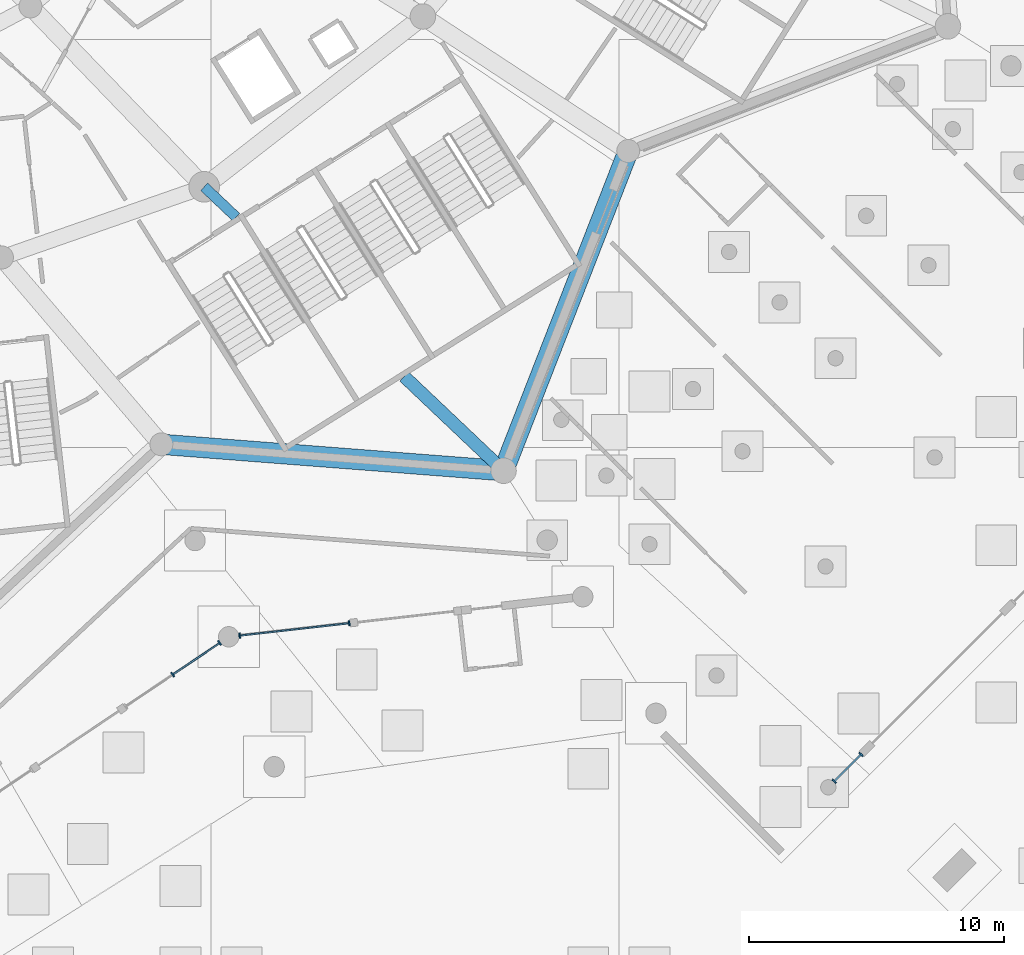
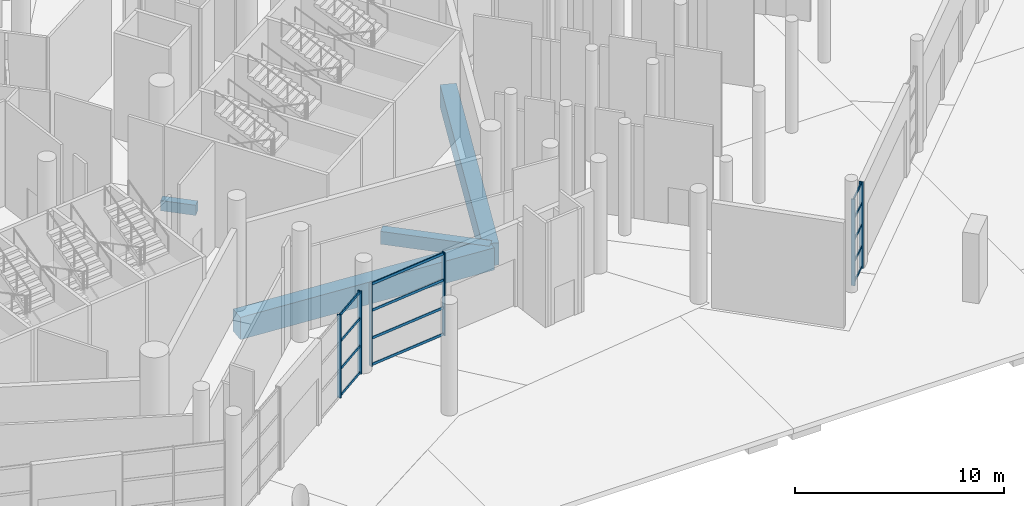
# One storey, part 34 of 255: 19 members, 4 beams, 3 elements without a shape of their own.
"""IFC4 building model written with IfcOpenShell, lengths in metres."""

from ifc_helpers import new_model, si_unit, direction, frame, origin, origin_2d, place, context, subcontext, project, spatial, rectangle, extrude, material, layer, layer_set, material_profile, profile_set, type_object, element, aggregate, save


model = new_model("IFC4")

# Units and contexts
model_context = context("Model", 3, precision=1e-05, world=origin(), true_north=direction((0.0, 1.0)))
body_context = subcontext(model_context, "Body", "Model", "MODEL_VIEW")
ifc_project = project(units=[si_unit("LENGTHUNIT", "METRE"), si_unit("AREAUNIT", "SQUARE_METRE"), si_unit("VOLUMEUNIT", "CUBIC_METRE"), si_unit("PLANEANGLEUNIT", "RADIAN"), si_unit("MASSUNIT", "GRAM", prefix="KILO")], contexts=[model_context])

# Site, building, storey
site_placement = place(None, origin())
site = spatial("IfcSite", under=ifc_project, at=site_placement, CompositionType="ELEMENT")
building_placement = place(site_placement, origin())
building = spatial("IfcBuilding", under=site, at=building_placement, Name="Meseta Stadium", CompositionType="ELEMENT")
storey_placement = place(building_placement, origin())
storey = spatial("IfcBuildingStorey", under=building, at=storey_placement, Name="L00", CompositionType="ELEMENT", Elevation=0.0)

# Beams
ifc_material_1 = material(Name="Concrete C40/50", Category="concrete")
ifc_material_profile_1 = material_profile(ifc_material_1, rectangle(XDim=0.39990234375, YDim=0.60009765625, at=origin_2d()), Name="RC 400x600")
ifc_profile_set_1 = profile_set([ifc_material_profile_1], Name="Concrete C40/50")
beam_type_1 = type_object("IfcBeamType", Name="RC beam 400x600", PredefinedType="BEAM", material=ifc_profile_set_1)
beam_1_placement = place(storey_placement, frame((63.731201171875, -85.77099609375, -0.699951171875), z_axis=(0.725600801439, -0.688115889187, 0.0), x_axis=(0.688115889187, 0.725600801439, 0.0)))
element("IfcBeam", 1, at=beam_1_placement, inside=storey, type_object=beam_type_1, Name="L00 radial beam frame 52 line P to R", PredefinedType="BEAM", context=body_context, shape_type="SweptSolid", body=[
    extrude(rectangle(XDim=0.39990234375, YDim=0.60009765625, at=origin_2d()), origin(), (0.0, 0.0, 1.0), 1.732421875),
])
ifc_material_2 = material(Name="Concrete C40/50", Category="concrete")
ifc_material_profile_2 = material_profile(ifc_material_2, rectangle(XDim=0.5, YDim=0.75, at=origin_2d()), Name="RC 500x750")
ifc_profile_set_2 = profile_set([ifc_material_profile_2], Name="Concrete C40/50")
beam_type_2 = type_object("IfcBeamType", Name="RC beam 500x750", PredefinedType="BEAM", material=ifc_profile_set_2)
beam_2_placement = place(storey_placement, frame((71.57958984375, -93.214599609375, -0.77490234375), z_axis=(0.725596444109, -0.688120483852, 0.0), x_axis=(0.688120483852, 0.725596444109, 0.0)))
element("IfcBeam", 2, at=beam_2_placement, inside=storey, type_object=beam_type_2, Name="L00 radial beam frame 52 line P to R", PredefinedType="BEAM", context=body_context, shape_type="SweptSolid", body=[
    extrude(rectangle(XDim=0.5, YDim=0.75, at=origin_2d()), origin(), (0.0, 0.0, 1.0), 5.367919921875),
])
ifc_material_3 = material(Name="Concrete C40/50", Category="concrete")
ifc_material_profile_3 = material_profile(ifc_material_3, rectangle(XDim=0.800048828125, YDim=1.300048828125, at=origin_2d()), Name="RC 800x1300")
ifc_profile_set_3 = profile_set([ifc_material_profile_3], Name="Concrete C40/50")
beam_type_3 = type_object("IfcBeamType", Name="RC beam 800x1300", PredefinedType="BEAM", material=ifc_profile_set_3)
for number, where, z_axis, x_axis, name in (
    (3, (62.051513671875, -95.872802734375, -1.050048828125), (0.997036858399, -0.076925307894, 0.0), (0.076925307894, 0.997036858399, 0.0), "L00 ring beam frame 51 line R"),
    (4, (75.474609375, -96.908447265625, -1.050048828125), (0.363287980868, 0.93167689837, 0.0), (-0.93167689837, 0.363287980868, 0.0), "L00 ring beam frame 52 line R"),
):
    element("IfcBeam", number, at=place(storey_placement, frame(where, z_axis=z_axis, x_axis=x_axis)), inside=storey, type_object=beam_type_3, Name=name, PredefinedType="BEAM", context=body_context, shape_type="SweptSolid", body=[
        extrude(rectangle(XDim=0.800048828125, YDim=1.300048828125, at=origin_2d()), origin(), (0.0, 0.0, 1.0), 13.462890625),
    ])

# Curtain wall, members
ifc_material_4 = material(Name="Aluminium", Category="aluminium")
ifc_layer_1 = layer(ifc_material_4, 0.199951171875)
ifc_layer_set_1 = layer_set([ifc_layer_1], Name="Ring shopfront curtain wall")
curtain_wall_type_1 = type_object("IfcCurtainWallType", Name="Ring shopfront curtain wall", PredefinedType="NOTDEFINED", material=ifc_layer_set_1)
curtain_wall_1_placement = place(storey_placement, origin())
curtain_wall_1 = element("IfcCurtainWall", 5, at=curtain_wall_1_placement, inside=storey, type_object=curtain_wall_type_1, Name="Shopfront glazing F50b", PredefinedType="NOTDEFINED")
ifc_material_5 = material(Name="Aluminium", Category="aluminium")
ifc_material_profile_4 = material_profile(ifc_material_5, rectangle(XDim=0.199951171875, YDim=0.06005859375, at=origin_2d()), Name="CW 200x60")
ifc_profile_set_4 = profile_set([ifc_material_profile_4], Name="Aluminium")
member_type_1 = type_object("IfcMemberType", Name="Ring CW mullion 60x200", PredefinedType="MULLION", material=ifc_profile_set_4)
member_1_placement = place(storey_placement, frame((62.4951171875, -104.907470703125, 0.0), z_axis=(0.0, 0.0, 1.0), x_axis=(-0.559383641345, 0.828908886305, 0.0)))
member_1 = element("IfcMember", 6, at=member_1_placement, type_object=member_type_1, Name="CWR1 mullion 2", PredefinedType="MULLION", context=body_context, shape_type="SweptSolid", body=[
    extrude(rectangle(XDim=0.199951171875, YDim=0.06005859375, at=origin_2d()), origin(), (0.0, 0.0, 1.0), 4.85009765625),
])
member_2_placement = place(storey_placement, frame((64.33740234375, -103.664306640625, 0.0), z_axis=(0.0, 0.0, 1.0), x_axis=(-0.559383641345, 0.828908886305, 0.0)))
member_2 = element("IfcMember", 7, at=member_2_placement, type_object=member_type_1, Name="CWR1 mullion 3", PredefinedType="MULLION", context=body_context, shape_type="SweptSolid", body=[
    extrude(rectangle(XDim=0.199951171875, YDim=0.06005859375, at=origin_2d()), origin(), (0.0, 0.0, 1.0), 4.85009765625),
])

curtain_wall_2_placement = place(storey_placement, origin())
curtain_wall_2 = element("IfcCurtainWall", 8, at=curtain_wall_2_placement, inside=storey, type_object=curtain_wall_type_1, Name="Shopfront glazing F51a", PredefinedType="NOTDEFINED")
member_3_placement = place(storey_placement, frame((65.12109375, -103.37548828125, 0.0), z_axis=(0.0, 0.0, 1.0), x_axis=(-0.112472456913, 0.993654842707, 0.0)))
member_3 = element("IfcMember", 9, at=member_3_placement, type_object=member_type_1, Name="CWR1 mullion 1", PredefinedType="MULLION", context=body_context, shape_type="SweptSolid", body=[
    extrude(rectangle(XDim=0.199951171875, YDim=0.06005859375, at=origin_2d()), origin(), (0.0, 0.0, 1.0), 4.85009765625),
])
member_4_placement = place(storey_placement, frame((69.42138671875, -102.888671875, 0.0), z_axis=(0.0, 0.0, 1.0), x_axis=(-0.112472456913, 0.993654842707, 0.0)))
member_4 = element("IfcMember", 10, at=member_4_placement, type_object=member_type_1, Name="CWR1 mullion 2", PredefinedType="MULLION", context=body_context, shape_type="SweptSolid", body=[
    extrude(rectangle(XDim=0.199951171875, YDim=0.06005859375, at=origin_2d()), origin(), (0.0, 0.0, 1.0), 4.85009765625),
])

ifc_material_6 = material(Name="Aluminium", Category="aluminium")
ifc_layer_2 = layer(ifc_material_6, 0.199951171875)
ifc_layer_set_2 = layer_set([ifc_layer_2], Name="Gate hall curtain wall")
curtain_wall_type_2 = type_object("IfcCurtainWallType", Name="Gate hall curtain wall", PredefinedType="NOTDEFINED", material=ifc_layer_set_2)
curtain_wall_3_placement = place(storey_placement, origin())
curtain_wall_3 = element("IfcCurtainWall", 11, at=curtain_wall_3_placement, inside=storey, type_object=curtain_wall_type_2, Name="Gate 8 glazing", PredefinedType="NOTDEFINED")
member_5_placement = place(storey_placement, frame((88.447509765625, -109.0927734375, 0.0), z_axis=(0.0, 0.0, 1.0), x_axis=(-0.707106781187, 0.707106781187, 0.0)))
member_5 = element("IfcMember", 12, at=member_5_placement, type_object=member_type_1, Name="CWG1 mullion 1", PredefinedType="MULLION", context=body_context, shape_type="SweptSolid", body=[
    extrude(rectangle(XDim=0.199951171875, YDim=0.06005859375, at=origin_2d()), origin(), (0.0, 0.0, 1.0), 5.050048828125),
])
member_6_placement = place(storey_placement, frame((89.501220703125, -108.039306640625, 0.0), z_axis=(0.0, 0.0, 1.0), x_axis=(-0.707106781187, 0.707106781187, 0.0)))
member_6 = element("IfcMember", 13, at=member_6_placement, type_object=member_type_1, Name="CWG1 mullion 2", PredefinedType="MULLION", context=body_context, shape_type="SweptSolid", body=[
    extrude(rectangle(XDim=0.199951171875, YDim=0.06005859375, at=origin_2d()), origin(), (0.0, 0.0, 1.0), 5.050048828125),
])

# Member
ifc_material_7 = material(Name="Aluminium", Category="aluminium")
ifc_material_profile_5 = material_profile(ifc_material_7, rectangle(XDim=0.06005859375, YDim=0.14990234375, at=origin_2d()), Name="CW 60x150")
ifc_profile_set_5 = profile_set([ifc_material_profile_5], Name="Aluminium")
member_type_2 = type_object("IfcMemberType", Name="Ring CW transom 60x150", PredefinedType="USERDEFINED", material=ifc_profile_set_5)
member_7_placement = place(storey_placement, frame((62.52001953125, -104.890625, 0.074951171875), z_axis=(0.828945520124, 0.559329352587, 0.0), x_axis=(-0.559329352587, 0.828945520124, 0.0)))
member_7 = element("IfcMember", 14, at=member_7_placement, type_object=member_type_2, Name="CWR1 transom 2.1", ObjectType="TRANSOM", PredefinedType="USERDEFINED", context=body_context, shape_type="SweptSolid", body=[
    extrude(rectangle(XDim=0.06005859375, YDim=0.14990234375, at=origin_2d()), origin(), (0.0, 0.0, 1.0), 2.162353515625),
])

member_8_placement = place(storey_placement, frame((62.52001953125, -104.890625, 1.61669921875), z_axis=(0.828945520124, 0.559329352587, 0.0), x_axis=(-0.559329352587, 0.828945520124, 0.0)))
member_8 = element("IfcMember", 15, at=member_8_placement, type_object=member_type_2, Name="CWR1 transom 2.2", ObjectType="TRANSOM", PredefinedType="USERDEFINED", context=body_context, shape_type="SweptSolid", body=[
    extrude(rectangle(XDim=0.06005859375, YDim=0.14990234375, at=origin_2d()), origin(), (0.0, 0.0, 1.0), 2.162353515625),
])

member_9_placement = place(storey_placement, frame((62.52001953125, -104.890625, 3.2333984375), z_axis=(0.828945520124, 0.559329352587, 0.0), x_axis=(-0.559329352587, 0.828945520124, 0.0)))
member_9 = element("IfcMember", 16, at=member_9_placement, type_object=member_type_2, Name="CWR1 transom 2.3", ObjectType="TRANSOM", PredefinedType="USERDEFINED", context=body_context, shape_type="SweptSolid", body=[
    extrude(rectangle(XDim=0.06005859375, YDim=0.14990234375, at=origin_2d()), origin(), (0.0, 0.0, 1.0), 2.162353515625),
])

member_10_placement = place(storey_placement, frame((62.52001953125, -104.890625, 4.77490234375), z_axis=(0.828945520124, 0.559329352587, 0.0), x_axis=(-0.559329352587, 0.828945520124, 0.0)))
member_10 = element("IfcMember", 17, at=member_10_placement, type_object=member_type_2, Name="CWR1 transom 2.4", ObjectType="TRANSOM", PredefinedType="USERDEFINED", context=body_context, shape_type="SweptSolid", body=[
    extrude(rectangle(XDim=0.06005859375, YDim=0.14990234375, at=origin_2d()), origin(), (0.0, 0.0, 1.0), 2.162353515625),
])

aggregate(curtain_wall_1, [member_1, member_2, member_7, member_8, member_9, member_10])

member_11_placement = place(storey_placement, frame((65.15087890625, -103.3720703125, 0.074951171875), z_axis=(0.993655622202, 0.112465570135, 0.0), x_axis=(-0.112465570135, 0.993655622202, 0.0)))
member_11 = element("IfcMember", 18, at=member_11_placement, type_object=member_type_2, Name="CWR1 transom 1.1", ObjectType="TRANSOM", PredefinedType="USERDEFINED", context=body_context, shape_type="SweptSolid", body=[
    extrude(rectangle(XDim=0.06005859375, YDim=0.14990234375, at=origin_2d()), origin(), (0.0, 0.0, 1.0), 4.267822265625),
])

member_12_placement = place(storey_placement, frame((65.15087890625, -103.3720703125, 1.61669921875), z_axis=(0.993655622202, 0.112465570135, 0.0), x_axis=(-0.112465570135, 0.993655622202, 0.0)))
member_12 = element("IfcMember", 19, at=member_12_placement, type_object=member_type_2, Name="CWR1 transom 1.2", ObjectType="TRANSOM", PredefinedType="USERDEFINED", context=body_context, shape_type="SweptSolid", body=[
    extrude(rectangle(XDim=0.06005859375, YDim=0.14990234375, at=origin_2d()), origin(), (0.0, 0.0, 1.0), 4.267822265625),
])

member_13_placement = place(storey_placement, frame((65.15087890625, -103.3720703125, 3.2333984375), z_axis=(0.993655622202, 0.112465570135, 0.0), x_axis=(-0.112465570135, 0.993655622202, 0.0)))
member_13 = element("IfcMember", 20, at=member_13_placement, type_object=member_type_2, Name="CWR1 transom 1.3", ObjectType="TRANSOM", PredefinedType="USERDEFINED", context=body_context, shape_type="SweptSolid", body=[
    extrude(rectangle(XDim=0.06005859375, YDim=0.14990234375, at=origin_2d()), origin(), (0.0, 0.0, 1.0), 4.267822265625),
])

member_14_placement = place(storey_placement, frame((65.15087890625, -103.3720703125, 4.77490234375), z_axis=(0.993655622202, 0.112465570135, 0.0), x_axis=(-0.112465570135, 0.993655622202, 0.0)))
member_14 = element("IfcMember", 21, at=member_14_placement, type_object=member_type_2, Name="CWR1 transom 1.4", ObjectType="TRANSOM", PredefinedType="USERDEFINED", context=body_context, shape_type="SweptSolid", body=[
    extrude(rectangle(XDim=0.06005859375, YDim=0.14990234375, at=origin_2d()), origin(), (0.0, 0.0, 1.0), 4.267822265625),
])

aggregate(curtain_wall_2, [member_3, member_4, member_11, member_12, member_13, member_14])

member_15_placement = place(storey_placement, frame((88.46875, -109.07177734375, 0.074951171875), z_axis=(0.707106781187, 0.707106781187, 0.0), x_axis=(-0.707106781187, 0.707106781187, 0.0)))
member_15 = element("IfcMember", 22, at=member_15_placement, type_object=member_type_2, Name="CWG1 transom 1.1", ObjectType="TRANSOM", PredefinedType="USERDEFINED", context=body_context, shape_type="SweptSolid", body=[
    extrude(rectangle(XDim=0.06005859375, YDim=0.14990234375, at=origin_2d()), origin(), (0.0, 0.0, 1.0), 1.43017578125),
])

member_16_placement = place(storey_placement, frame((88.46875, -109.07177734375, 1.262451171875), z_axis=(0.707106781187, 0.707106781187, 0.0), x_axis=(-0.707106781187, 0.707106781187, 0.0)))
member_16 = element("IfcMember", 23, at=member_16_placement, type_object=member_type_2, Name="CWG1 transom 1.2", ObjectType="TRANSOM", PredefinedType="USERDEFINED", context=body_context, shape_type="SweptSolid", body=[
    extrude(rectangle(XDim=0.06005859375, YDim=0.14990234375, at=origin_2d()), origin(), (0.0, 0.0, 1.0), 1.43017578125),
])

member_17_placement = place(storey_placement, frame((88.46875, -109.07177734375, 2.52490234375), z_axis=(0.707106781187, 0.707106781187, 0.0), x_axis=(-0.707106781187, 0.707106781187, 0.0)))
member_17 = element("IfcMember", 24, at=member_17_placement, type_object=member_type_2, Name="CWG1 transom 1.3", ObjectType="TRANSOM", PredefinedType="USERDEFINED", context=body_context, shape_type="SweptSolid", body=[
    extrude(rectangle(XDim=0.06005859375, YDim=0.14990234375, at=origin_2d()), origin(), (0.0, 0.0, 1.0), 1.43017578125),
])

member_18_placement = place(storey_placement, frame((88.46875, -109.07177734375, 3.78759765625), z_axis=(0.707106781187, 0.707106781187, 0.0), x_axis=(-0.707106781187, 0.707106781187, 0.0)))
member_18 = element("IfcMember", 25, at=member_18_placement, type_object=member_type_2, Name="CWG1 transom 1.4", ObjectType="TRANSOM", PredefinedType="USERDEFINED", context=body_context, shape_type="SweptSolid", body=[
    extrude(rectangle(XDim=0.06005859375, YDim=0.14990234375, at=origin_2d()), origin(), (0.0, 0.0, 1.0), 1.43017578125),
])

member_19_placement = place(storey_placement, frame((88.46875, -109.07177734375, 4.97509765625), z_axis=(0.707106781187, 0.707106781187, 0.0), x_axis=(-0.707106781187, 0.707106781187, 0.0)))
member_19 = element("IfcMember", 26, at=member_19_placement, type_object=member_type_2, Name="CWG1 transom 1.5", ObjectType="TRANSOM", PredefinedType="USERDEFINED", context=body_context, shape_type="SweptSolid", body=[
    extrude(rectangle(XDim=0.06005859375, YDim=0.14990234375, at=origin_2d()), origin(), (0.0, 0.0, 1.0), 1.43017578125),
])

aggregate(curtain_wall_3, [member_5, member_6, member_15, member_16, member_17, member_18, member_19])

save(model, "model.ifc")
